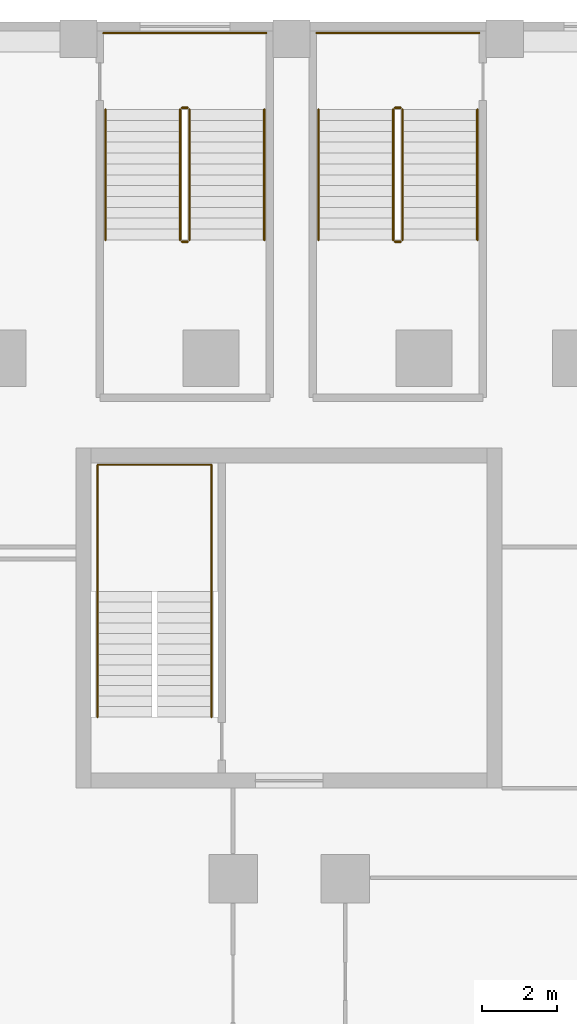
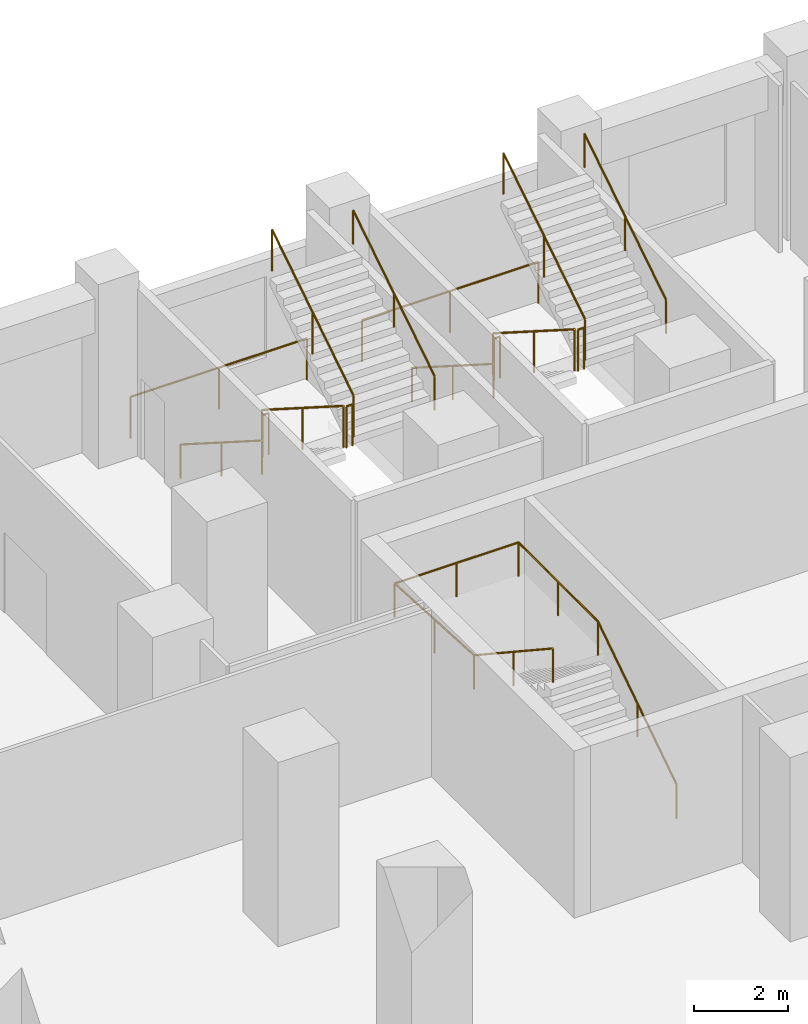
# One storey, part 15 of 15: 15 railings.
"""IFC4 building model written with IfcOpenShell, lengths in metres."""

from ifc_helpers import new_model, si_unit, direction, frame, origin, origin_2d, place, context, subcontext, project, spatial, circle, extrude, material, type_object, element, save


model = new_model("IFC4")

# Units and contexts
model_context = context("Model", 3, precision=1e-05, world=origin(), true_north=direction((0.0, 1.0)))
body_context = subcontext(model_context, "Body", "Model", "MODEL_VIEW")
ifc_project = project(units=[si_unit("LENGTHUNIT", "METRE"), si_unit("AREAUNIT", "SQUARE_METRE"), si_unit("VOLUMEUNIT", "CUBIC_METRE"), si_unit("PLANEANGLEUNIT", "RADIAN"), si_unit("MASSUNIT", "GRAM", prefix="KILO")], contexts=[model_context])

# Site, building, storey
site_placement = place(None, origin())
site = spatial("IfcSite", under=ifc_project, at=site_placement, CompositionType="ELEMENT")
building_placement = place(site_placement, origin())
building = spatial("IfcBuilding", under=site, at=building_placement, Name="Meshkara Civic Tower", CompositionType="ELEMENT")
storey_placement = place(building_placement, frame((0.0, 0.0, 23.39990234375)))
storey = spatial("IfcBuildingStorey", under=building, at=storey_placement, Name="L04", CompositionType="ELEMENT", Elevation=23.39990234375)

# Railings
ifc_material_1 = material(Name="Steel guard", Category="steel")
railing_type_1 = type_object("IfcRailingType", Name="Podium stair guard 1100", PredefinedType="GUARDRAIL", material=ifc_material_1)
railing_1_placement = place(storey_placement, frame((8.485107421875, 89.419921875, 0.184814453125)))
element("IfcRailing", 1, at=railing_1_placement, inside=storey, type_object=railing_type_1, Name="L04 PS1 stair guard 1", PredefinedType="GUARDRAIL", context=body_context, shape_type="SweptSolid", body=[
    extrude(circle(Radius=0.02392578125, at=origin_2d()), frame((0.0, 0.0, 1.076171875), z_axis=(0.0, -0.843573748531, 0.537013343214), x_axis=(1.0, 0.0, 0.0)), (0.0, 0.0, 1.0), 4.125244140625),
    extrude(circle(Radius=0.02099609375, at=origin_2d()), origin(), (0.0, 0.0, 1.0), 1.052001953125),
    extrude(circle(Radius=0.02099609375, at=origin_2d()), frame((0.0, -1.739990234375, 1.107666015625)), (0.0, 0.0, 1.0), 1.052001953125),
    extrude(circle(Radius=0.02099609375, at=origin_2d()), frame((0.0, -3.47998046875, 2.21533203125)), (0.0, 0.0, 1.0), 1.052001953125),
])
railing_2_placement = place(storey_placement, frame((8.534912109375, 85.889892578125, 2.400146484375)))
element("IfcRailing", 2, at=railing_2_placement, inside=storey, type_object=railing_type_1, Name="L04 PS1 stair guard 2", PredefinedType="GUARDRAIL", context=body_context, shape_type="SweptSolid", body=[
    extrude(circle(Radius=0.02392578125, at=origin_2d()), frame((0.0, 0.0, 1.076171875), z_axis=(1.0, 0.0, 0.0), x_axis=(0.0, 1.0, 0.0)), (0.0, 0.0, 1.0), 0.150146484375),
    extrude(circle(Radius=0.02099609375, at=origin_2d()), origin(), (0.0, 0.0, 1.0), 1.052001953125),
    extrude(circle(Radius=0.02099609375, at=origin_2d()), frame((0.150146484375, 0.0, 0.0)), (0.0, 0.0, 1.0), 1.052001953125),
])
railing_3_placement = place(storey_placement, frame((8.735107421875, 85.93994140625, 2.584716796875)))
element("IfcRailing", 3, at=railing_3_placement, inside=storey, type_object=railing_type_1, Name="L04 PS1 stair guard 3", PredefinedType="GUARDRAIL", context=body_context, shape_type="SweptSolid", body=[
    extrude(circle(Radius=0.02392578125, at=origin_2d()), frame((0.0, 0.0, 1.076171875), z_axis=(0.0, 0.843573748531, 0.537013343214), x_axis=(-1.0, 0.0, 0.0)), (0.0, 0.0, 1.0), 4.125244140625),
    extrude(circle(Radius=0.02099609375, at=origin_2d()), origin(), (0.0, 0.0, 1.0), 1.052001953125),
    extrude(circle(Radius=0.02099609375, at=origin_2d()), frame((0.0, 1.739990234375, 1.107666015625)), (0.0, 0.0, 1.0), 1.052001953125),
    extrude(circle(Radius=0.02099609375, at=origin_2d()), frame((0.0, 3.47998046875, 2.21533203125)), (0.0, 0.0, 1.0), 1.052001953125),
])
railing_4_placement = place(storey_placement, frame((8.534912109375, 89.469970703125, 0.0)))
element("IfcRailing", 4, at=railing_4_placement, inside=storey, type_object=railing_type_1, Name="L04 PS1 stair guard 4", PredefinedType="GUARDRAIL", context=body_context, shape_type="SweptSolid", body=[
    extrude(circle(Radius=0.02392578125, at=origin_2d()), frame((0.0, 0.0, 1.076171875), z_axis=(1.0, 0.0, 0.0), x_axis=(0.0, 1.0, 0.0)), (0.0, 0.0, 1.0), 0.150146484375),
    extrude(circle(Radius=0.02099609375, at=origin_2d()), origin(), (0.0, 0.0, 1.0), 1.052001953125),
    extrude(circle(Radius=0.02099609375, at=origin_2d()), frame((0.150146484375, 0.0, 0.0)), (0.0, 0.0, 1.0), 1.052001953125),
])
railing_5_placement = place(storey_placement, frame((6.43505859375, 91.469970703125, 0.0)))
element("IfcRailing", 5, at=railing_5_placement, inside=storey, type_object=railing_type_1, Name="L04 PS1 stair guard 5", PredefinedType="GUARDRAIL", context=body_context, shape_type="SweptSolid", body=[
    extrude(circle(Radius=0.02392578125, at=origin_2d()), frame((0.0, 0.0, 1.076171875), z_axis=(1.0, 0.0, 0.0), x_axis=(0.0, 1.0, 0.0)), (0.0, 0.0, 1.0), 4.349853515625),
    extrude(circle(Radius=0.02099609375, at=origin_2d()), origin(), (0.0, 0.0, 1.0), 1.052001953125),
    extrude(circle(Radius=0.02099609375, at=origin_2d()), frame((2.1748046875, 0.0, 0.0)), (0.0, 0.0, 1.0), 1.052001953125),
    extrude(circle(Radius=0.02099609375, at=origin_2d()), frame((4.349853515625, 0.0, 0.0)), (0.0, 0.0, 1.0), 1.052001953125),
])
railing_6_placement = place(storey_placement, frame((14.18505859375, 89.419921875, 0.184814453125)))
element("IfcRailing", 6, at=railing_6_placement, inside=storey, type_object=railing_type_1, Name="L04 PS2 stair guard 1", PredefinedType="GUARDRAIL", context=body_context, shape_type="SweptSolid", body=[
    extrude(circle(Radius=0.02392578125, at=origin_2d()), frame((0.0, 0.0, 1.076171875), z_axis=(0.0, -0.843573748531, 0.537013343214), x_axis=(1.0, 0.0, 0.0)), (0.0, 0.0, 1.0), 4.125244140625),
    extrude(circle(Radius=0.02099609375, at=origin_2d()), origin(), (0.0, 0.0, 1.0), 1.052001953125),
    extrude(circle(Radius=0.02099609375, at=origin_2d()), frame((0.0, -1.739990234375, 1.107666015625)), (0.0, 0.0, 1.0), 1.052001953125),
    extrude(circle(Radius=0.02099609375, at=origin_2d()), frame((0.0, -3.47998046875, 2.21533203125)), (0.0, 0.0, 1.0), 1.052001953125),
])
railing_7_placement = place(storey_placement, frame((14.235107421875, 85.889892578125, 2.400146484375)))
element("IfcRailing", 7, at=railing_7_placement, inside=storey, type_object=railing_type_1, Name="L04 PS2 stair guard 2", PredefinedType="GUARDRAIL", context=body_context, shape_type="SweptSolid", body=[
    extrude(circle(Radius=0.02392578125, at=origin_2d()), frame((0.0, 0.0, 1.076171875), z_axis=(1.0, 0.0, 0.0), x_axis=(0.0, 1.0, 0.0)), (0.0, 0.0, 1.0), 0.14990234375),
    extrude(circle(Radius=0.02099609375, at=origin_2d()), origin(), (0.0, 0.0, 1.0), 1.052001953125),
    extrude(circle(Radius=0.02099609375, at=origin_2d()), frame((0.14990234375, 0.0, 0.0)), (0.0, 0.0, 1.0), 1.052001953125),
])
railing_8_placement = place(storey_placement, frame((14.43505859375, 85.93994140625, 2.584716796875)))
element("IfcRailing", 8, at=railing_8_placement, inside=storey, type_object=railing_type_1, Name="L04 PS2 stair guard 3", PredefinedType="GUARDRAIL", context=body_context, shape_type="SweptSolid", body=[
    extrude(circle(Radius=0.02392578125, at=origin_2d()), frame((0.0, 0.0, 1.076171875), z_axis=(0.0, 0.843573748531, 0.537013343214), x_axis=(-1.0, 0.0, 0.0)), (0.0, 0.0, 1.0), 4.125244140625),
    extrude(circle(Radius=0.02099609375, at=origin_2d()), origin(), (0.0, 0.0, 1.0), 1.052001953125),
    extrude(circle(Radius=0.02099609375, at=origin_2d()), frame((0.0, 1.739990234375, 1.107666015625)), (0.0, 0.0, 1.0), 1.052001953125),
    extrude(circle(Radius=0.02099609375, at=origin_2d()), frame((0.0, 3.47998046875, 2.21533203125)), (0.0, 0.0, 1.0), 1.052001953125),
])
railing_9_placement = place(storey_placement, frame((14.235107421875, 89.469970703125, 0.0)))
element("IfcRailing", 9, at=railing_9_placement, inside=storey, type_object=railing_type_1, Name="L04 PS2 stair guard 4", PredefinedType="GUARDRAIL", context=body_context, shape_type="SweptSolid", body=[
    extrude(circle(Radius=0.02392578125, at=origin_2d()), frame((0.0, 0.0, 1.076171875), z_axis=(1.0, 0.0, 0.0), x_axis=(0.0, 1.0, 0.0)), (0.0, 0.0, 1.0), 0.14990234375),
    extrude(circle(Radius=0.02099609375, at=origin_2d()), origin(), (0.0, 0.0, 1.0), 1.052001953125),
    extrude(circle(Radius=0.02099609375, at=origin_2d()), frame((0.14990234375, 0.0, 0.0)), (0.0, 0.0, 1.0), 1.052001953125),
])
railing_10_placement = place(storey_placement, frame((12.135009765625, 91.469970703125, 0.0)))
element("IfcRailing", 10, at=railing_10_placement, inside=storey, type_object=railing_type_1, Name="L04 PS2 stair guard 5", PredefinedType="GUARDRAIL", context=body_context, shape_type="SweptSolid", body=[
    extrude(circle(Radius=0.02392578125, at=origin_2d()), frame((0.0, 0.0, 1.076171875), z_axis=(1.0, 0.0, 0.0), x_axis=(0.0, 1.0, 0.0)), (0.0, 0.0, 1.0), 4.35009765625),
    extrude(circle(Radius=0.02099609375, at=origin_2d()), origin(), (0.0, 0.0, 1.0), 1.052001953125),
    extrude(circle(Radius=0.02099609375, at=origin_2d()), frame((2.175048828125, 0.0, 0.0)), (0.0, 0.0, 1.0), 1.052001953125),
    extrude(circle(Radius=0.02099609375, at=origin_2d()), frame((4.35009765625, 0.0, 0.0)), (0.0, 0.0, 1.0), 1.052001953125),
])
ifc_material_2 = material(Name="Steel handrail", Category="steel")
railing_type_2 = type_object("IfcRailingType", Name="Podium stair handrail 900", PredefinedType="HANDRAIL", material=ifc_material_2)
railing_11_placement = place(storey_placement, frame((6.485107421875, 89.419921875, 0.184814453125)))
element("IfcRailing", 11, at=railing_11_placement, inside=storey, type_object=railing_type_2, Name="L04 PS1 stair handrail 1", PredefinedType="HANDRAIL", context=body_context, shape_type="SweptSolid", body=[
    extrude(circle(Radius=0.02392578125, at=origin_2d()), frame((0.0, 0.0, 0.8759765625), z_axis=(0.0, -0.843573748531, 0.537013343214), x_axis=(1.0, 0.0, 0.0)), (0.0, 0.0, 1.0), 4.125244140625),
    extrude(circle(Radius=0.02099609375, at=origin_2d()), origin(), (0.0, 0.0, 1.0), 0.851806640625),
    extrude(circle(Radius=0.02099609375, at=origin_2d()), frame((0.0, -1.739990234375, 1.107666015625)), (0.0, 0.0, 1.0), 0.851806640625),
    extrude(circle(Radius=0.02099609375, at=origin_2d()), frame((0.0, -3.47998046875, 2.21533203125)), (0.0, 0.0, 1.0), 0.851806640625),
])
railing_12_placement = place(storey_placement, frame((10.735107421875, 85.93994140625, 2.584716796875)))
element("IfcRailing", 12, at=railing_12_placement, inside=storey, type_object=railing_type_2, Name="L04 PS1 stair handrail 2", PredefinedType="HANDRAIL", context=body_context, shape_type="SweptSolid", body=[
    extrude(circle(Radius=0.02392578125, at=origin_2d()), frame((0.0, 0.0, 0.8759765625), z_axis=(0.0, 0.843573748531, 0.537013343214), x_axis=(-1.0, 0.0, 0.0)), (0.0, 0.0, 1.0), 4.125244140625),
    extrude(circle(Radius=0.02099609375, at=origin_2d()), origin(), (0.0, 0.0, 1.0), 0.851806640625),
    extrude(circle(Radius=0.02099609375, at=origin_2d()), frame((0.0, 1.739990234375, 1.107666015625)), (0.0, 0.0, 1.0), 0.851806640625),
    extrude(circle(Radius=0.02099609375, at=origin_2d()), frame((0.0, 3.47998046875, 2.21533203125)), (0.0, 0.0, 1.0), 0.851806640625),
])
railing_13_placement = place(storey_placement, frame((12.18505859375, 89.419921875, 0.184814453125)))
element("IfcRailing", 13, at=railing_13_placement, inside=storey, type_object=railing_type_2, Name="L04 PS2 stair handrail 1", PredefinedType="HANDRAIL", context=body_context, shape_type="SweptSolid", body=[
    extrude(circle(Radius=0.02392578125, at=origin_2d()), frame((0.0, 0.0, 0.8759765625), z_axis=(0.0, -0.843573748531, 0.537013343214), x_axis=(1.0, 0.0, 0.0)), (0.0, 0.0, 1.0), 4.125244140625),
    extrude(circle(Radius=0.02099609375, at=origin_2d()), origin(), (0.0, 0.0, 1.0), 0.851806640625),
    extrude(circle(Radius=0.02099609375, at=origin_2d()), frame((0.0, -1.739990234375, 1.107666015625)), (0.0, 0.0, 1.0), 0.851806640625),
    extrude(circle(Radius=0.02099609375, at=origin_2d()), frame((0.0, -3.47998046875, 2.21533203125)), (0.0, 0.0, 1.0), 0.851806640625),
])
railing_14_placement = place(storey_placement, frame((16.43505859375, 85.93994140625, 2.584716796875)))
element("IfcRailing", 14, at=railing_14_placement, inside=storey, type_object=railing_type_2, Name="L04 PS2 stair handrail 2", PredefinedType="HANDRAIL", context=body_context, shape_type="SweptSolid", body=[
    extrude(circle(Radius=0.02392578125, at=origin_2d()), frame((0.0, 0.0, 0.8759765625), z_axis=(0.0, 0.843573748531, 0.537013343214), x_axis=(-1.0, 0.0, 0.0)), (0.0, 0.0, 1.0), 4.125244140625),
    extrude(circle(Radius=0.02099609375, at=origin_2d()), origin(), (0.0, 0.0, 1.0), 0.851806640625),
    extrude(circle(Radius=0.02099609375, at=origin_2d()), frame((0.0, 1.739990234375, 1.107666015625)), (0.0, 0.0, 1.0), 0.851806640625),
    extrude(circle(Radius=0.02099609375, at=origin_2d()), frame((0.0, 3.47998046875, 2.21533203125)), (0.0, 0.0, 1.0), 0.851806640625),
])
ifc_material_3 = material(Name="Steel handrail", Category="steel")
railing_type_3 = type_object("IfcRailingType", Name="Stair handrail 900", PredefinedType="HANDRAIL", material=ifc_material_3)
railing_15_placement = place(storey_placement, frame((9.324951171875, 73.169921875, 0.184814453125)))
element("IfcRailing", 15, at=railing_15_placement, inside=storey, type_object=railing_type_3, Name="L04 ESA1 stair handrail 1", PredefinedType="HANDRAIL", context=body_context, shape_type="SweptSolid", body=[
    extrude(circle(Radius=0.02392578125, at=origin_2d()), frame((0.0, 0.0, 0.8759765625), z_axis=(0.0, 0.834876476806, 0.550437342915), x_axis=(-1.0, 0.0, 0.0)), (0.0, 0.0, 1.0), 4.024658203125),
    extrude(circle(Radius=0.02392578125, at=origin_2d()), frame((0.0, 3.360107421875, 3.09130859375), z_axis=(0.0, 1.0, 0.0), x_axis=(-1.0, 0.0, 0.0)), (0.0, 0.0, 1.0), 3.389892578125),
    extrude(circle(Radius=0.02392578125, at=origin_2d()), frame((0.0, 6.75, 3.09130859375), z_axis=(-1.0, 0.0, 0.0), x_axis=(0.0, -1.0, 0.0)), (0.0, 0.0, 1.0), 3.050048828125),
    extrude(circle(Radius=0.02392578125, at=origin_2d()), frame((-3.050048828125, 6.75, 3.09130859375), z_axis=(0.0, -0.998521036226, 0.054366719725), x_axis=(1.0, 0.0, 0.0)), (0.0, 0.0, 1.0), 3.39501953125),
    extrude(circle(Radius=0.02392578125, at=origin_2d()), frame((-3.050048828125, 3.360107421875, 3.27587890625), z_axis=(0.0, -0.834876476806, 0.550437342915), x_axis=(1.0, 0.0, 0.0)), (0.0, 0.0, 1.0), 4.024658203125),
    extrude(circle(Radius=0.02099609375, at=origin_2d()), origin(), (0.0, 0.0, 1.0), 0.851806640625),
    extrude(circle(Radius=0.02099609375, at=origin_2d()), frame((0.0, 1.68017578125, 1.107666015625)), (0.0, 0.0, 1.0), 0.851806640625),
    extrude(circle(Radius=0.02099609375, at=origin_2d()), frame((0.0, 3.360107421875, 2.21533203125)), (0.0, 0.0, 1.0), 0.851806640625),
    extrude(circle(Radius=0.02099609375, at=origin_2d()), frame((0.0, 5.05517578125, 2.21533203125)), (0.0, 0.0, 1.0), 0.851806640625),
    extrude(circle(Radius=0.02099609375, at=origin_2d()), frame((0.0, 6.75, 2.21533203125)), (0.0, 0.0, 1.0), 0.851806640625),
    extrude(circle(Radius=0.02099609375, at=origin_2d()), frame((-1.52490234375, 6.75, 2.21533203125)), (0.0, 0.0, 1.0), 0.851806640625),
    extrude(circle(Radius=0.02099609375, at=origin_2d()), frame((-3.050048828125, 6.75, 2.21533203125)), (0.0, 0.0, 1.0), 0.851806640625),
    extrude(circle(Radius=0.02099609375, at=origin_2d()), frame((-3.050048828125, 5.05517578125, 2.3076171875)), (0.0, 0.0, 1.0), 0.851806640625),
    extrude(circle(Radius=0.02099609375, at=origin_2d()), frame((-3.050048828125, 3.360107421875, 2.39990234375)), (0.0, 0.0, 1.0), 0.851806640625),
    extrude(circle(Radius=0.02099609375, at=origin_2d()), frame((-3.050048828125, 1.68017578125, 3.507568359375)), (0.0, 0.0, 1.0), 0.851806640625),
    extrude(circle(Radius=0.02099609375, at=origin_2d()), frame((-3.050048828125, 0.0, 4.615234375)), (0.0, 0.0, 1.0), 0.851806640625),
])

save(model, "model.ifc")
